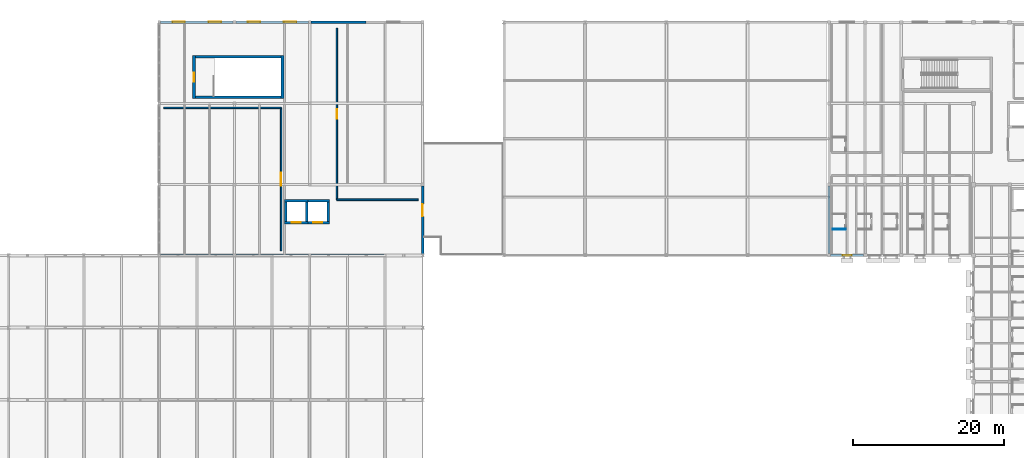
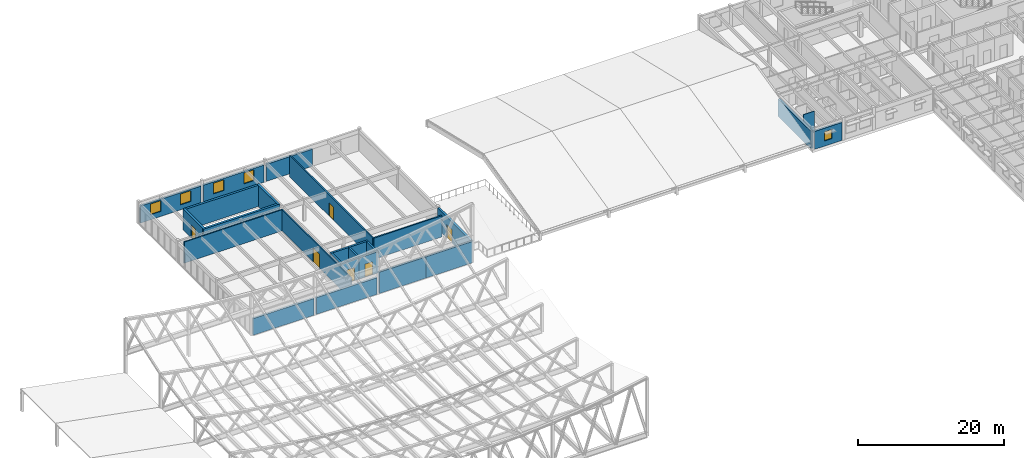
# One storey, part 23 of 40: 26 walls, 6 doors, 5 windows, 11 openings.
"""IFC4 building model written with IfcOpenShell, lengths in metres."""

from ifc_helpers import new_model, si_unit, direction, frame, frame_2d, origin, place, context, subcontext, project, spatial, rectangle, extrude, material, layer, layer_set, type_object, element, fill, save


model = new_model("IFC4")

# Units and contexts
model_context = context("Model", 3, precision=1e-05, world=origin(), true_north=direction((0.0, 1.0)))
body_context = subcontext(model_context, "Body", "Model", "MODEL_VIEW")
ifc_project = project(units=[si_unit("LENGTHUNIT", "METRE"), si_unit("AREAUNIT", "SQUARE_METRE"), si_unit("VOLUMEUNIT", "CUBIC_METRE"), si_unit("PLANEANGLEUNIT", "RADIAN"), si_unit("MASSUNIT", "GRAM", prefix="KILO")], contexts=[model_context])

# Site, building, storey
site_placement = place(None, origin())
site = spatial("IfcSite", under=ifc_project, at=site_placement, CompositionType="ELEMENT")
building_placement = place(site_placement, origin())
building = spatial("IfcBuilding", under=site, at=building_placement, Name="Veldera Park Congress Hotel", CompositionType="ELEMENT")
storey_placement = place(building_placement, frame((0.0, 0.0, 16.199951171875)))
storey = spatial("IfcBuildingStorey", under=building, at=storey_placement, Name="L03", CompositionType="ELEMENT", Elevation=16.199951171875)

# Walls
ifc_material_1 = material(Name="Cross-laminated timber CLT V2M1.1", Category="wood")
ifc_layer_1 = layer(ifc_material_1, 0.320068359375)
ifc_layer_set_1 = layer_set([ifc_layer_1], Name="Cross-laminated timber CLT V2M1.1")
wall_type_1 = type_object("IfcWallType", Name="EW-CLT320", PredefinedType="STANDARD", material=ifc_layer_set_1)
for number, where, z_axis, x_axis, name in (
    (1, (-47.221923828125, 27.0, 0.0), (0.0, 0.0, 1.0), (1.0, 0.0, 0.0), "L03 Exterior Wall EW3-L03-0101"),
    (2, (-37.221923828125, 27.0, 0.0), (0.0, 0.0, 1.0), (1.0, 0.0, 0.0), "L03 Exterior Wall EW3-L03-0102"),
):
    element("IfcWall", number, at=place(storey_placement, frame(where, z_axis=z_axis, x_axis=x_axis)), inside=storey, type_object=wall_type_1, Name=name, PredefinedType="STANDARD", context=body_context, shape_type="SweptSolid", body=[
        extrude(rectangle(XDim=9.64404296875, YDim=0.320068359375, at=frame_2d((4.822021484375, 0.0))), origin(), (0.0, 0.0, 1.0), 2.795166015625),
    ])
wall_1_placement = place(storey_placement, frame((-27.221923828125, 27.0, 0.0), z_axis=(0.0, 0.0, 1.0), x_axis=(1.0, 0.0, 0.0)))
element("IfcWall", 3, at=wall_1_placement, inside=storey, type_object=wall_type_1, Name="L03 Exterior Wall EW3-L03-0103", PredefinedType="STANDARD", context=body_context, shape_type="SweptSolid", body=[
    extrude(rectangle(XDim=7.408203125, YDim=0.320068359375, at=frame_2d((3.7041015625, 0.0))), origin(), (0.0, 0.0, 1.0), 3.56005859375),
])
wall_2_placement = place(storey_placement, frame((-19.817626953125, 27.0, 0.0), z_axis=(0.0, 0.0, 1.0), x_axis=(1.0, 0.0, 0.0)))
element("IfcWall", 4, at=wall_2_placement, inside=storey, type_object=wall_type_1, Name="L03 Exterior Wall EW3-L03-0104", PredefinedType="STANDARD", context=body_context, shape_type="SweptSolid", body=[
    extrude(rectangle(XDim=7.408447265625, YDim=0.320068359375, at=frame_2d((3.7041015625, 0.0))), origin(), (0.0, 0.0, 1.0), 3.56005859375),
])

# Wall, opening, door
wall_3_placement = place(storey_placement, frame((-12.39990234375, 27.194580078125, 0.0), z_axis=(0.0, 0.0, 1.0), x_axis=(0.0, 1.0, 0.0)))
wall_3 = element("IfcWall", 5, at=wall_3_placement, inside=storey, type_object=wall_type_1, Name="L03 Exterior Wall EW3-L03-0105", PredefinedType="STANDARD", context=body_context, shape_type="SweptSolid", body=[
    extrude(rectangle(XDim=9.012451171875, YDim=0.320068359375, at=frame_2d((4.50634765625, 0.0))), origin(), (0.0, 0.0, 1.0), 3.56005859375),
])
opening_1_placement = place(wall_3_placement, frame((5.005615234375, 0.0, 0.0)))
opening_1 = element("IfcOpeningElement", 6, at=opening_1_placement, cuts=wall_3, Name="Opening ED-TER160", PredefinedType="OPENING", context=body_context, shape_type="SweptSolid", body=[
    extrude(rectangle(XDim=1.60009765625, YDim=2.25, at=frame_2d((0.800048828125, 1.125))), frame((0.0, 0.172119140625, 0.0), z_axis=(0.0, -1.0, 0.0), x_axis=(1.0, 0.0, 0.0)), (0.0, 0.0, 1.0), 0.343994140625),
])
ifc_material_2 = material(Name="Anodised Aluminium Alloy 6063-T6", Category="aluminium")
door_type_1 = type_object("IfcDoorType", Name="ED-TER160", OperationType="DOUBLE_DOOR_SINGLE_SWING", PredefinedType="DOOR", material=ifc_material_2)
door_1_placement = place(opening_1_placement, frame((1.60009765625, 0.0, 0.0), z_axis=(0.0, 0.0, 1.0), x_axis=(-1.0, 0.0, 0.0)))
door_1 = element("IfcDoor", 7, at=door_1_placement, inside=storey, type_object=door_type_1, Name="Exterior Door TD-L03-POD (DR3-EXT-L03-0018)", OperationType="DOUBLE_DOOR_SINGLE_SWING", OverallHeight=2.25, OverallWidth=1.60009765625, PredefinedType="DOOR", context=body_context, shape_type="SweptSolid", body=[
    extrude(rectangle(XDim=1.60009765625, YDim=2.25, at=frame_2d((0.800048828125, 1.125))), frame((0.0, 0.02490234375, 0.0), z_axis=(0.0, -1.0, 0.0), x_axis=(1.0, 0.0, 0.0)), (0.0, 0.0, 1.0), 0.050048828125),
])
fill(opening_1, door_1)

# Wall
wall_4_placement = place(storey_placement, frame((-19.89794921875, 58.0, 0.0), z_axis=(0.0, 0.0, 1.0), x_axis=(-1.0, 0.0, 0.0)))
element("IfcWall", 8, at=wall_4_placement, inside=storey, type_object=wall_type_1, Name="L03 Exterior Wall EW3-L03-0109", PredefinedType="STANDARD", context=body_context, shape_type="SweptSolid", body=[
    extrude(rectangle(XDim=7.30908203125, YDim=0.320068359375, at=frame_2d((3.654541015625, 0.0))), origin(), (0.0, 0.0, 1.0), 2.875),
])

# Wall, openings, windows
wall_5_placement = place(storey_placement, frame((-27.593017578125, 58.0, 0.0), z_axis=(0.0, 0.0, 1.0), x_axis=(-1.0, 0.0, 0.0)))
wall_5 = element("IfcWall", 9, at=wall_5_placement, inside=storey, type_object=wall_type_1, Name="L03 Exterior Wall EW3-L03-0110", PredefinedType="STANDARD", context=body_context, shape_type="SweptSolid", body=[
    extrude(rectangle(XDim=9.614013671875, YDim=0.320068359375, at=frame_2d((4.80712890625, 0.0))), origin(), (0.0, 0.0, 1.0), 2.875),
])
opening_2_placement = place(wall_5_placement, frame((1.57861328125, 0.0, 0.85009765625)))
opening_2 = element("IfcOpeningElement", 10, at=opening_2_placement, cuts=wall_5, Name="Opening WIN-1650", PredefinedType="OPENING", context=body_context, shape_type="SweptSolid", body=[
    extrude(rectangle(XDim=1.64990234375, YDim=1.800048828125, at=frame_2d((0.824951171875, 0.89990234375))), frame((0.0, 0.172119140625, 0.0), z_axis=(0.0, -1.0, 0.0), x_axis=(1.0, 0.0, 0.0)), (0.0, 0.0, 1.0), 0.343994140625),
])
opening_3_placement = place(wall_5_placement, frame((6.385498046875, 0.0, 0.85009765625)))
opening_3 = element("IfcOpeningElement", 11, at=opening_3_placement, cuts=wall_5, Name="Opening WIN-1650", PredefinedType="OPENING", context=body_context, shape_type="SweptSolid", body=[
    extrude(rectangle(XDim=1.64990234375, YDim=1.800048828125, at=frame_2d((0.824951171875, 0.89990234375))), frame((0.0, 0.172119140625, 0.0), z_axis=(0.0, -1.0, 0.0), x_axis=(1.0, 0.0, 0.0)), (0.0, 0.0, 1.0), 0.343994140625),
])
ifc_material_3 = material(Name="Low-E Triple Insulating Glass Unit (SHGC 0.22)", Category="glass")
window_type_1 = type_object("IfcWindowType", Name="WIN-1650", PartitioningType="SINGLE_PANEL", PredefinedType="WINDOW", material=ifc_material_3)
window_1_placement = place(opening_2_placement, origin())
window_1 = element("IfcWindow", 12, at=window_1_placement, inside=storey, type_object=window_type_1, Name="L03 Window WIN-1650 121", OverallHeight=1.800048828125, OverallWidth=1.64990234375, PartitioningType="SINGLE_PANEL", PredefinedType="WINDOW", context=body_context, shape_type="SweptSolid", body=[
    extrude(rectangle(XDim=1.64990234375, YDim=1.800048828125, at=frame_2d((0.824951171875, 0.89990234375))), frame((0.0, 0.030029296875, 0.0), z_axis=(0.0, -1.0, 0.0), x_axis=(1.0, 0.0, 0.0)), (0.0, 0.0, 1.0), 0.06005859375),
])
fill(opening_2, window_1)
window_2_placement = place(opening_3_placement, origin())
window_2 = element("IfcWindow", 13, at=window_2_placement, inside=storey, type_object=window_type_1, Name="L03 Window WIN-1650 122", OverallHeight=1.800048828125, OverallWidth=1.64990234375, PartitioningType="SINGLE_PANEL", PredefinedType="WINDOW", context=body_context, shape_type="SweptSolid", body=[
    extrude(rectangle(XDim=1.64990234375, YDim=1.800048828125, at=frame_2d((0.824951171875, 0.89990234375))), frame((0.0, 0.030029296875, 0.0), z_axis=(0.0, -1.0, 0.0), x_axis=(1.0, 0.0, 0.0)), (0.0, 0.0, 1.0), 0.06005859375),
])
fill(opening_3, window_2)

wall_6_placement = place(storey_placement, frame((-37.593017578125, 58.0, 0.0), z_axis=(0.0, 0.0, 1.0), x_axis=(-1.0, 0.0, 0.0)))
wall_6 = element("IfcWall", 14, at=wall_6_placement, inside=storey, type_object=wall_type_1, Name="L03 Exterior Wall EW3-L03-0111", PredefinedType="STANDARD", context=body_context, shape_type="SweptSolid", body=[
    extrude(rectangle(XDim=9.614013671875, YDim=0.320068359375, at=frame_2d((4.80712890625, 0.0))), origin(), (0.0, 0.0, 1.0), 2.875),
])
opening_4_placement = place(wall_6_placement, frame((1.57861328125, 0.0, 0.85009765625)))
opening_4 = element("IfcOpeningElement", 15, at=opening_4_placement, cuts=wall_6, Name="Opening WIN-1650", PredefinedType="OPENING", context=body_context, shape_type="SweptSolid", body=[
    extrude(rectangle(XDim=1.64990234375, YDim=1.800048828125, at=frame_2d((0.824951171875, 0.89990234375))), frame((0.0, 0.172119140625, 0.0), z_axis=(0.0, -1.0, 0.0), x_axis=(1.0, 0.0, 0.0)), (0.0, 0.0, 1.0), 0.343994140625),
])
opening_5_placement = place(wall_6_placement, frame((6.385498046875, 0.0, 0.85009765625)))
opening_5 = element("IfcOpeningElement", 16, at=opening_5_placement, cuts=wall_6, Name="Opening WIN-1650", PredefinedType="OPENING", context=body_context, shape_type="SweptSolid", body=[
    extrude(rectangle(XDim=1.64990234375, YDim=1.800048828125, at=frame_2d((0.824951171875, 0.89990234375))), frame((0.0, 0.172119140625, 0.0), z_axis=(0.0, -1.0, 0.0), x_axis=(1.0, 0.0, 0.0)), (0.0, 0.0, 1.0), 0.343994140625),
])
window_3_placement = place(opening_4_placement, origin())
window_3 = element("IfcWindow", 17, at=window_3_placement, inside=storey, type_object=window_type_1, Name="L03 Window WIN-1650 123", OverallHeight=1.800048828125, OverallWidth=1.64990234375, PartitioningType="SINGLE_PANEL", PredefinedType="WINDOW", context=body_context, shape_type="SweptSolid", body=[
    extrude(rectangle(XDim=1.64990234375, YDim=1.800048828125, at=frame_2d((0.824951171875, 0.89990234375))), frame((0.0, 0.030029296875, 0.0), z_axis=(0.0, -1.0, 0.0), x_axis=(1.0, 0.0, 0.0)), (0.0, 0.0, 1.0), 0.06005859375),
])
fill(opening_4, window_3)
window_4_placement = place(opening_5_placement, origin())
window_4 = element("IfcWindow", 18, at=window_4_placement, inside=storey, type_object=window_type_1, Name="L03 Window WIN-1650 124", OverallHeight=1.800048828125, OverallWidth=1.64990234375, PartitioningType="SINGLE_PANEL", PredefinedType="WINDOW", context=body_context, shape_type="SweptSolid", body=[
    extrude(rectangle(XDim=1.64990234375, YDim=1.800048828125, at=frame_2d((0.824951171875, 0.89990234375))), frame((0.0, 0.030029296875, 0.0), z_axis=(0.0, -1.0, 0.0), x_axis=(1.0, 0.0, 0.0)), (0.0, 0.0, 1.0), 0.06005859375),
])
fill(opening_5, window_4)

# Wall
wall_7_placement = place(storey_placement, frame((41.60009765625, 36.19189453125, 0.0), z_axis=(0.0, 0.0, 1.0), x_axis=(0.0, -1.0, 0.0)))
element("IfcWall", 19, at=wall_7_placement, inside=storey, type_object=wall_type_1, Name="L03 Exterior Wall EW3-L03-0229", PredefinedType="STANDARD", context=body_context, shape_type="SweptSolid", body=[
    extrude(rectangle(XDim=8.968994140625, YDim=0.320068359375, at=frame_2d((4.484375, 0.0))), origin(), (0.0, 0.0, 1.0), 2.93505859375),
])

# Wall, opening, window
wall_8_placement = place(storey_placement, frame((41.822998046875, 27.0, 0.0), z_axis=(0.0, 0.0, 1.0), x_axis=(1.0, 0.0, 0.0)))
wall_8 = element("IfcWall", 20, at=wall_8_placement, inside=storey, type_object=wall_type_1, Name="L03 Exterior Wall EW3-L03-0230", PredefinedType="STANDARD", context=body_context, shape_type="SweptSolid", body=[
    extrude(rectangle(XDim=4.35400390625, YDim=0.320068359375, at=frame_2d((2.177001953125, 0.0))), origin(), (0.0, 0.0, 1.0), 3.01513671875),
])
opening_6_placement = place(wall_8_placement, frame((1.576904296875, 0.0, 0.85009765625)))
opening_6 = element("IfcOpeningElement", 21, at=opening_6_placement, cuts=wall_8, Name="Opening WIN-1200", PredefinedType="OPENING", context=body_context, shape_type="SweptSolid", body=[
    extrude(rectangle(XDim=1.199951171875, YDim=1.550048828125, at=frame_2d((0.60009765625, 0.77490234375))), frame((0.0, 0.172119140625, 0.0), z_axis=(0.0, -1.0, 0.0), x_axis=(1.0, 0.0, 0.0)), (0.0, 0.0, 1.0), 0.343994140625),
])
window_type_2 = type_object("IfcWindowType", Name="WIN-1200", PartitioningType="SINGLE_PANEL", PredefinedType="WINDOW", material=ifc_material_3)
window_5_placement = place(opening_6_placement, origin())
window_5 = element("IfcWindow", 22, at=window_5_placement, inside=storey, type_object=window_type_2, Name="L03 Window WIN-1200 195", OverallHeight=1.550048828125, OverallWidth=1.199951171875, PartitioningType="SINGLE_PANEL", PredefinedType="WINDOW", context=body_context, shape_type="SweptSolid", body=[
    extrude(rectangle(XDim=1.199951171875, YDim=1.550048828125, at=frame_2d((0.60009765625, 0.77490234375))), frame((0.0, 0.030029296875, 0.0), z_axis=(0.0, -1.0, 0.0), x_axis=(1.0, 0.0, 0.0)), (0.0, 0.0, 1.0), 0.06005859375),
])
fill(opening_6, window_5)

# Wall
ifc_material_4 = material(Name="Fire-Rated Gypsum Board on Cold-Formed Steel Studs", Category="steel")
ifc_layer_2 = layer(ifc_material_4, 0.1201171875)
ifc_layer_set_2 = layer_set([ifc_layer_2], Name="Fire-Rated Gypsum Board on Cold-Formed Steel Studs")
wall_type_2 = type_object("IfcWallType", Name="IW-BATH120", PredefinedType="PARTITIONING", material=ifc_layer_set_2)
wall_9_placement = place(storey_placement, frame((42.10009765625, 30.449951171875, 0.0), z_axis=(0.0, 0.0, 1.0), x_axis=(1.0, 0.0, 0.0)))
element("IfcWall", 23, at=wall_9_placement, inside=storey, type_object=wall_type_2, Name="L03 Partition Wall IW3-L03-00765", PredefinedType="PARTITIONING", context=body_context, shape_type="SweptSolid", body=[
    extrude(rectangle(XDim=1.75, YDim=0.1201171875, at=frame_2d((0.875, 0.0))), origin(), (0.0, 0.0, 1.0), 3.56005859375),
])

# Wall, opening, door
ifc_layer_3 = layer(ifc_material_4, 0.179931640625)
ifc_layer_set_3 = layer_set([ifc_layer_3], Name="Fire-Rated Gypsum Board on Cold-Formed Steel Studs")
wall_type_3 = type_object("IfcWallType", Name="IW-CORR180", PredefinedType="PARTITIONING", material=ifc_layer_set_3)
wall_10_placement = place(storey_placement, frame((-31.199951171875, 27.60009765625, 0.0), z_axis=(0.0, 0.0, 1.0), x_axis=(0.0, 1.0, 0.0)))
wall_10 = element("IfcWall", 24, at=wall_10_placement, inside=storey, type_object=wall_type_3, Name="L03 Partition Wall IW3-L03-00218", PredefinedType="PARTITIONING", context=body_context, shape_type="SweptSolid", body=[
    extrude(rectangle(XDim=19.0, YDim=0.179931640625, at=frame_2d((9.5, 0.0))), origin(), (0.0, 0.0, 1.0), 3.56005859375),
])
opening_7_placement = place(wall_10_placement, frame((8.64990234375, 0.0, 0.0)))
opening_7 = element("IfcOpeningElement", 25, at=opening_7_placement, cuts=wall_10, Name="Opening ID-HALL170", PredefinedType="OPENING", context=body_context, shape_type="SweptSolid", body=[
    extrude(rectangle(XDim=1.699951171875, YDim=2.300048828125, at=frame_2d((0.85009765625, 1.14990234375))), frame((0.0, 0.10205078125, 0.0), z_axis=(0.0, -1.0, 0.0), x_axis=(1.0, 0.0, 0.0)), (0.0, 0.0, 1.0), 0.203857421875),
])
ifc_material_5 = material(Name="Solid Core White Oak Architectural Door", Category="wood")
door_type_2 = type_object("IfcDoorType", Name="ID-HALL170", OperationType="DOUBLE_DOOR_SINGLE_SWING", PredefinedType="DOOR", material=ifc_material_5)
door_2_placement = place(opening_7_placement, origin())
door_2 = element("IfcDoor", 26, at=door_2_placement, inside=storey, type_object=door_type_2, Name="L03 Podium Sky-Court Botanical Conservatory Door ID3-L03-0078 (DR3-ID3-L03-0078)", OperationType="DOUBLE_DOOR_SINGLE_SWING", OverallHeight=2.300048828125, OverallWidth=1.699951171875, PredefinedType="DOOR", context=body_context, shape_type="SweptSolid", body=[
    extrude(rectangle(XDim=1.699951171875, YDim=2.300048828125, at=frame_2d((0.85009765625, 1.14990234375))), frame((0.0, 0.02490234375, 0.0), z_axis=(0.0, -1.0, 0.0), x_axis=(1.0, 0.0, 0.0)), (0.0, 0.0, 1.0), 0.050048828125),
])
fill(opening_7, door_2)

# Walls
wall_11_placement = place(storey_placement, frame((-31.199951171875, 46.60009765625, 0.0), z_axis=(0.0, 0.0, 1.0), x_axis=(-1.0, 0.0, 0.0)))
element("IfcWall", 27, at=wall_11_placement, inside=storey, type_object=wall_type_3, Name="L03 Partition Wall IW3-L03-00219", PredefinedType="PARTITIONING", context=body_context, shape_type="SweptSolid", body=[
    extrude(rectangle(XDim=15.60009765625, YDim=0.179931640625, at=frame_2d((7.800048828125, 0.0))), origin(), (0.0, 0.0, 1.0), 3.56005859375),
])
ifc_material_6 = material(Name="Concrete f'c 40 MPa (5,800 psi)", Category="concrete")
ifc_layer_4 = layer(ifc_material_6, 0.219970703125)
ifc_layer_set_4 = layer_set([ifc_layer_4], Name="Concrete f'c 40 MPa (5,800 psi)")
wall_type_4 = type_object("IfcWallType", Name="IW-FIRE220", PredefinedType="STANDARD", material=ifc_layer_set_4)
wall_12_placement = place(storey_placement, frame((-23.800048828125, 34.39990234375, 0.0), z_axis=(0.0, 0.0, 1.0), x_axis=(1.0, 0.0, 0.0)))
element("IfcWall", 28, at=wall_12_placement, inside=storey, type_object=wall_type_4, Name="L03 Partition Wall IW3-L03-00220", PredefinedType="STANDARD", context=body_context, shape_type="SweptSolid", body=[
    extrude(rectangle(XDim=10.800048828125, YDim=0.219970703125, at=frame_2d((5.39990234375, 0.0))), origin(), (0.0, 0.0, 1.0), 3.56005859375),
])

# Wall, opening, door
wall_13_placement = place(storey_placement, frame((-23.800048828125, 57.199951171875, 0.0), z_axis=(0.0, 0.0, 1.0), x_axis=(0.0, -1.0, 0.0)))
wall_13 = element("IfcWall", 29, at=wall_13_placement, inside=storey, type_object=wall_type_4, Name="L03 Partition Wall IW3-L03-00221", PredefinedType="STANDARD", context=body_context, shape_type="SweptSolid", body=[
    extrude(rectangle(XDim=22.800048828125, YDim=0.219970703125, at=frame_2d((11.39990234375, 0.0))), origin(), (0.0, 0.0, 1.0), 3.56005859375),
])
opening_8_placement = place(wall_13_placement, frame((10.75, 0.0, 0.0)))
opening_8 = element("IfcOpeningElement", 30, at=opening_8_placement, cuts=wall_13, Name="Opening ID-PLANT130", PredefinedType="OPENING", context=body_context, shape_type="SweptSolid", body=[
    extrude(rectangle(XDim=1.300048828125, YDim=2.199951171875, at=frame_2d((0.64990234375, 1.10009765625))), frame((0.0, 0.1220703125, 0.0), z_axis=(0.0, -1.0, 0.0), x_axis=(1.0, 0.0, 0.0)), (0.0, 0.0, 1.0), 0.243896484375),
])
ifc_material_7 = material(Name="Hollow Metal Fire-Rated Steel Door", Category="steel")
door_type_3 = type_object("IfcDoorType", Name="ID-PLANT130", OperationType="NOTDEFINED", PredefinedType="DOOR", material=ifc_material_7)
door_3_placement = place(opening_8_placement, origin())
door_3 = element("IfcDoor", 31, at=door_3_placement, inside=storey, type_object=door_type_3, Name="L03 Dedicated Congress HVAC Air Handling Plant Door ID3-L03-0079 (DR3-ID3-L03-0079)", OperationType="SINGLE_SWING_RIGHT", OverallHeight=2.199951171875, OverallWidth=1.300048828125, PredefinedType="DOOR", context=body_context, shape_type="SweptSolid", body=[
    extrude(rectangle(XDim=1.300048828125, YDim=2.199951171875, at=frame_2d((0.64990234375, 1.10009765625))), frame((0.0, 0.02490234375, 0.0), z_axis=(0.0, -1.0, 0.0), x_axis=(1.0, 0.0, 0.0)), (0.0, 0.0, 1.0), 0.050048828125),
])
fill(opening_8, door_3)

# Walls
ifc_layer_5 = layer(ifc_material_6, 0.35009765625)
ifc_layer_set_5 = layer_set([ifc_layer_5], Name="Concrete f'c 40 MPa (5,800 psi)")
wall_type_5 = type_object("IfcWallType", Name="SW-CORE350", PredefinedType="SHEAR", material=ifc_layer_set_5)
wall_14_placement = place(storey_placement, frame((-42.949951171875, 48.02490234375, 0.0), z_axis=(0.0, 0.0, 1.0), x_axis=(1.0, 0.0, 0.0)))
element("IfcWall", 32, at=wall_14_placement, inside=storey, type_object=wall_type_5, Name="Stair ST4 Core Wall L03-S", PredefinedType="SHEAR", context=body_context, shape_type="SweptSolid", body=[
    extrude(rectangle(XDim=12.099853515625, YDim=0.35009765625, at=frame_2d((6.0498046875, 0.0))), origin(), (0.0, 0.0, 1.0), 3.56005859375),
])
wall_15_placement = place(storey_placement, frame((-31.02490234375, 47.85009765625, 0.0), z_axis=(0.0, 0.0, 1.0), x_axis=(0.0, 1.0, 0.0)))
element("IfcWall", 33, at=wall_15_placement, inside=storey, type_object=wall_type_5, Name="Stair ST4 Core Wall L03-E", PredefinedType="SHEAR", context=body_context, shape_type="SweptSolid", body=[
    extrude(rectangle(XDim=5.699951171875, YDim=0.35009765625, at=frame_2d((2.85009765625, 0.0))), origin(), (0.0, 0.0, 1.0), 3.56005859375),
])
wall_16_placement = place(storey_placement, frame((-30.85009765625, 53.375, 0.0), z_axis=(0.0, 0.0, 1.0), x_axis=(-1.0, 0.0, 0.0)))
element("IfcWall", 34, at=wall_16_placement, inside=storey, type_object=wall_type_5, Name="Stair ST4 Core Wall L03-N", PredefinedType="SHEAR", context=body_context, shape_type="SweptSolid", body=[
    extrude(rectangle(XDim=12.099853515625, YDim=0.35009765625, at=frame_2d((6.0498046875, 0.0))), origin(), (0.0, 0.0, 1.0), 3.56005859375),
])

# Wall, opening, door
wall_17_placement = place(storey_placement, frame((-42.77490234375, 53.550048828125, 0.0), z_axis=(0.0, 0.0, 1.0), x_axis=(0.0, -1.0, 0.0)))
wall_17 = element("IfcWall", 35, at=wall_17_placement, inside=storey, type_object=wall_type_5, Name="Stair ST4 Core Wall L03-W", PredefinedType="SHEAR", context=body_context, shape_type="SweptSolid", body=[
    extrude(rectangle(XDim=5.699951171875, YDim=0.35009765625, at=frame_2d((2.85009765625, 0.0))), origin(), (0.0, 0.0, 1.0), 3.56005859375),
])
opening_9_placement = place(wall_17_placement, frame((2.25, 0.0, 0.0)))
opening_9 = element("IfcOpeningElement", 36, at=opening_9_placement, cuts=wall_17, Name="Opening ID-STAIR120", PredefinedType="OPENING", context=body_context, shape_type="SweptSolid", body=[
    extrude(rectangle(XDim=1.199951171875, YDim=2.199951171875, at=frame_2d((0.60009765625, 1.10009765625))), frame((0.0, 0.18701171875, 0.0), z_axis=(0.0, -1.0, 0.0), x_axis=(1.0, 0.0, 0.0)), (0.0, 0.0, 1.0), 0.3740234375),
])
door_type_4 = type_object("IfcDoorType", Name="ID-STAIR120", OperationType="NOTDEFINED", PredefinedType="DOOR", material=ifc_material_7)
door_4_placement = place(opening_9_placement, origin())
door_4 = element("IfcDoor", 37, at=door_4_placement, inside=storey, type_object=door_type_4, Name="L03 Stair ST4 Fire Door (DR3-SD-ST4-L03)", OperationType="SINGLE_SWING_LEFT", OverallHeight=2.199951171875, OverallWidth=1.199951171875, PredefinedType="DOOR", context=body_context, shape_type="SweptSolid", body=[
    extrude(rectangle(XDim=1.199951171875, YDim=2.199951171875, at=frame_2d((0.60009765625, 1.10009765625))), frame((0.0, 0.02490234375, 0.0), z_axis=(0.0, -1.0, 0.0), x_axis=(1.0, 0.0, 0.0)), (0.0, 0.0, 1.0), 0.050048828125),
])
fill(opening_9, door_4)

ifc_layer_6 = layer(ifc_material_6, 0.300048828125)
ifc_layer_set_6 = layer_set([ifc_layer_6], Name="Concrete f'c 40 MPa (5,800 psi)")
wall_type_6 = type_object("IfcWallType", Name="SW-SHFT300", PredefinedType="SHEAR", material=ifc_layer_set_6)
wall_18_placement = place(storey_placement, frame((-30.75, 31.35009765625, 0.0), z_axis=(0.0, 0.0, 1.0), x_axis=(1.0, 0.0, 0.0)))
wall_18 = element("IfcWall", 38, at=wall_18_placement, inside=storey, type_object=wall_type_6, Name="Lift CL-01 Shaft Wall L03-S", PredefinedType="SHEAR", context=body_context, shape_type="SweptSolid", body=[
    extrude(rectangle(XDim=3.10009765625, YDim=0.300048828125, at=frame_2d((1.550048828125, 0.0))), origin(), (0.0, 0.0, 1.0), 3.56005859375),
])
opening_10_placement = place(wall_18_placement, frame((0.949951171875, 0.0, 0.0)))
opening_10 = element("IfcOpeningElement", 39, at=opening_10_placement, cuts=wall_18, Name="Opening LD-120", PredefinedType="OPENING", context=body_context, shape_type="SweptSolid", body=[
    extrude(rectangle(XDim=1.199951171875, YDim=2.199951171875, at=frame_2d((0.60009765625, 1.10009765625))), frame((0.0, 0.162109375, 0.0), z_axis=(0.0, -1.0, 0.0), x_axis=(1.0, 0.0, 0.0)), (0.0, 0.0, 1.0), 0.323974609375),
])
door_type_5 = type_object("IfcDoorType", Name="LD-120", OperationType="DOUBLE_DOOR_SLIDING", PredefinedType="DOOR", material=ifc_material_7)
door_5_placement = place(opening_10_placement, origin())
door_5 = element("IfcDoor", 40, at=door_5_placement, inside=storey, type_object=door_type_5, Name="L03 Lift CL-01 Landing Door (DR3-LD-CL-01-L03)", OperationType="DOUBLE_DOOR_SLIDING", OverallHeight=2.199951171875, OverallWidth=1.199951171875, PredefinedType="DOOR", context=body_context, shape_type="SweptSolid", body=[
    extrude(rectangle(XDim=1.199951171875, YDim=2.199951171875, at=frame_2d((0.60009765625, 1.10009765625))), frame((0.0, 0.02490234375, 0.0), z_axis=(0.0, -1.0, 0.0), x_axis=(1.0, 0.0, 0.0)), (0.0, 0.0, 1.0), 0.050048828125),
])
fill(opening_10, door_5)

# Walls
wall_19_placement = place(storey_placement, frame((-27.64990234375, 34.25, 0.0), z_axis=(0.0, 0.0, 1.0), x_axis=(-1.0, 0.0, 0.0)))
element("IfcWall", 41, at=wall_19_placement, inside=storey, type_object=wall_type_6, Name="Lift CL-01 Shaft Wall L03-N", PredefinedType="SHEAR", context=body_context, shape_type="SweptSolid", body=[
    extrude(rectangle(XDim=3.10009765625, YDim=0.300048828125, at=frame_2d((1.550048828125, 0.0))), origin(), (0.0, 0.0, 1.0), 3.56005859375),
])
for number, where, z_axis, x_axis, name in (
    (42, (-27.800048828125, 31.5, 0.0), (0.0, 0.0, 1.0), (0.0, 1.0, 0.0), "Lift CL-01 Shaft Wall L03-E"),
    (43, (-30.60009765625, 34.10009765625, 0.0), (0.0, 0.0, 1.0), (0.0, -1.0, 0.0), "Lift CL-01 Shaft Wall L03-W"),
):
    element("IfcWall", number, at=place(storey_placement, frame(where, z_axis=z_axis, x_axis=x_axis)), inside=storey, type_object=wall_type_6, Name=name, PredefinedType="SHEAR", context=body_context, shape_type="SweptSolid", body=[
        extrude(rectangle(XDim=2.60009765625, YDim=0.300048828125, at=frame_2d((1.300048828125, 0.0))), origin(), (0.0, 0.0, 1.0), 3.56005859375),
    ])

# Wall, opening, door
wall_20_placement = place(storey_placement, frame((-27.89990234375, 31.35009765625, 0.0), z_axis=(0.0, 0.0, 1.0), x_axis=(1.0, 0.0, 0.0)))
wall_20 = element("IfcWall", 44, at=wall_20_placement, inside=storey, type_object=wall_type_6, Name="Lift CL-02 Shaft Wall L03-S", PredefinedType="SHEAR", context=body_context, shape_type="SweptSolid", body=[
    extrude(rectangle(XDim=3.099853515625, YDim=0.300048828125, at=frame_2d((1.5498046875, 0.0))), origin(), (0.0, 0.0, 1.0), 3.56005859375),
])
opening_11_placement = place(wall_20_placement, frame((0.949951171875, 0.0, 0.0)))
opening_11 = element("IfcOpeningElement", 45, at=opening_11_placement, cuts=wall_20, Name="Opening LD-120", PredefinedType="OPENING", context=body_context, shape_type="SweptSolid", body=[
    extrude(rectangle(XDim=1.199951171875, YDim=2.199951171875, at=frame_2d((0.60009765625, 1.10009765625))), frame((0.0, 0.162109375, 0.0), z_axis=(0.0, -1.0, 0.0), x_axis=(1.0, 0.0, 0.0)), (0.0, 0.0, 1.0), 0.323974609375),
])
door_6_placement = place(opening_11_placement, origin())
door_6 = element("IfcDoor", 46, at=door_6_placement, inside=storey, type_object=door_type_5, Name="L03 Lift CL-02 Landing Door (DR3-LD-CL-02-L03)", OperationType="DOUBLE_DOOR_SLIDING", OverallHeight=2.199951171875, OverallWidth=1.199951171875, PredefinedType="DOOR", context=body_context, shape_type="SweptSolid", body=[
    extrude(rectangle(XDim=1.199951171875, YDim=2.199951171875, at=frame_2d((0.60009765625, 1.10009765625))), frame((0.0, 0.02490234375, 0.0), z_axis=(0.0, -1.0, 0.0), x_axis=(1.0, 0.0, 0.0)), (0.0, 0.0, 1.0), 0.050048828125),
])
fill(opening_11, door_6)

# Walls
wall_21_placement = place(storey_placement, frame((-24.800048828125, 34.25, 0.0), z_axis=(0.0, 0.0, 1.0), x_axis=(-1.0, 0.0, 0.0)))
element("IfcWall", 47, at=wall_21_placement, inside=storey, type_object=wall_type_6, Name="Lift CL-02 Shaft Wall L03-N", PredefinedType="SHEAR", context=body_context, shape_type="SweptSolid", body=[
    extrude(rectangle(XDim=3.099853515625, YDim=0.300048828125, at=frame_2d((1.5498046875, 0.0))), origin(), (0.0, 0.0, 1.0), 3.56005859375),
])
wall_22_placement = place(storey_placement, frame((-24.949951171875, 31.5, 0.0), z_axis=(0.0, 0.0, 1.0), x_axis=(0.0, 1.0, 0.0)))
element("IfcWall", 48, at=wall_22_placement, inside=storey, type_object=wall_type_6, Name="Lift CL-02 Shaft Wall L03-E", PredefinedType="SHEAR", context=body_context, shape_type="SweptSolid", body=[
    extrude(rectangle(XDim=2.60009765625, YDim=0.300048828125, at=frame_2d((1.300048828125, 0.0))), origin(), (0.0, 0.0, 1.0), 3.56005859375),
])

save(model, "model.ifc")
